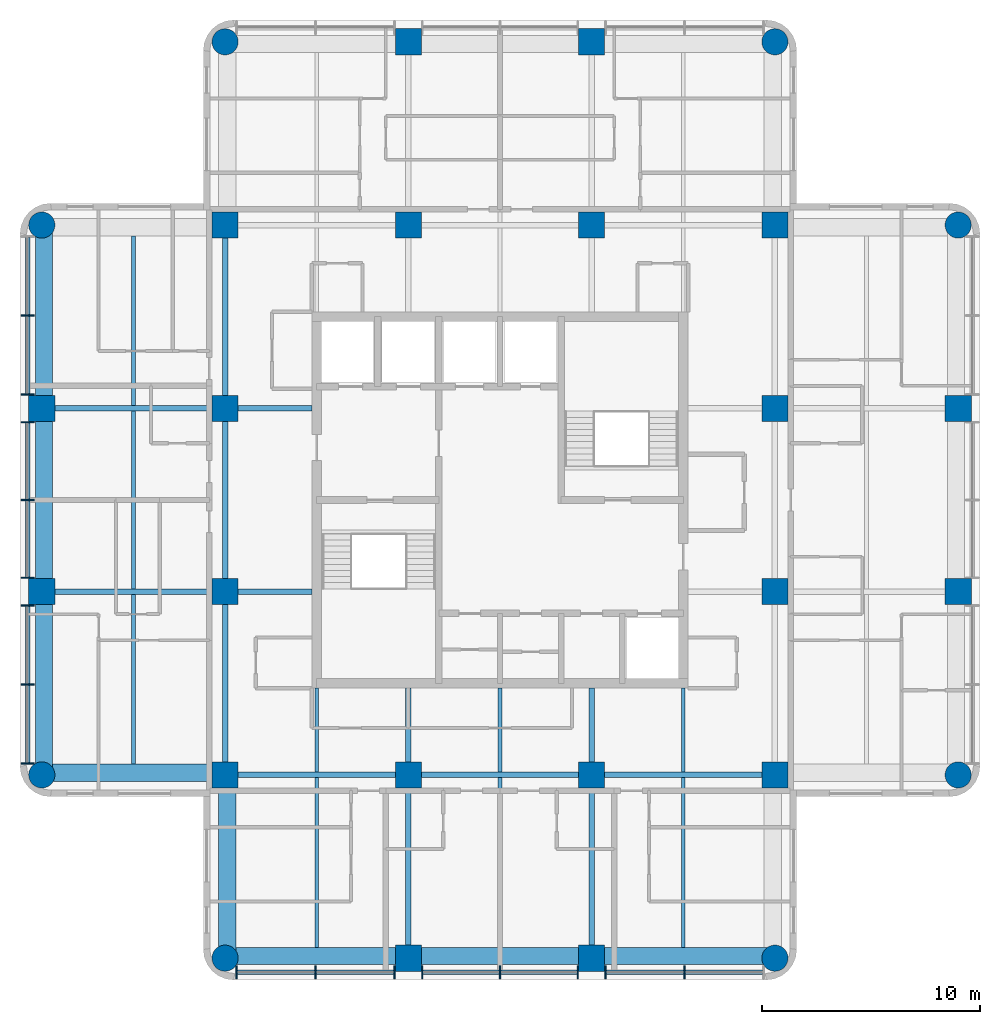
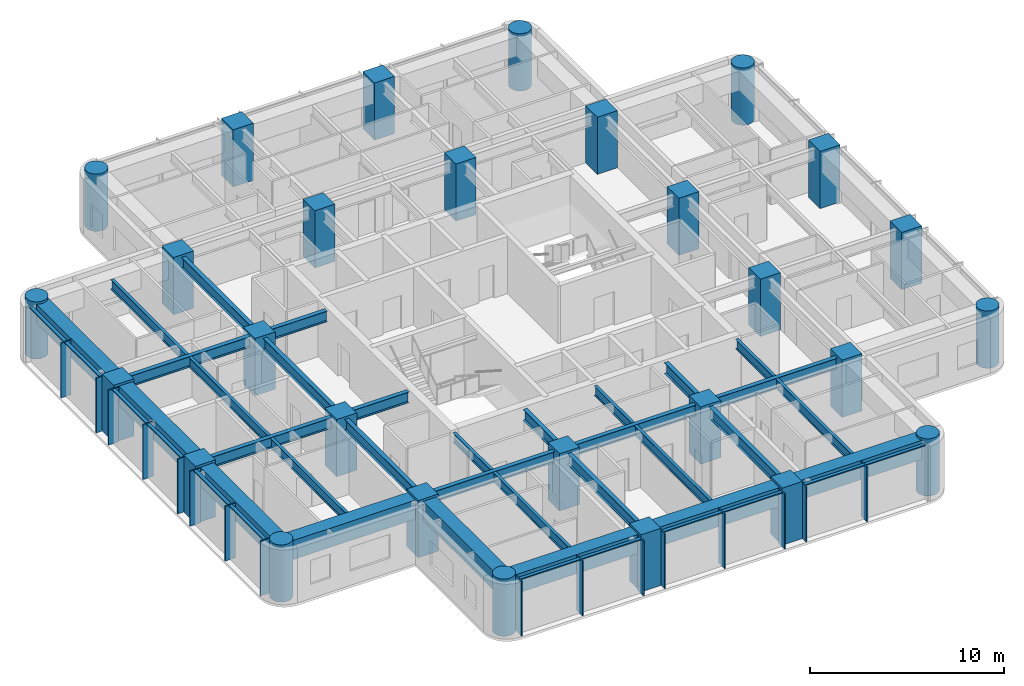
# One storey, part 1 of 10: 31 beams, 28 columns, 28 members, 2 elements without a shape of their own.
"""IFC4 building model written with IfcOpenShell, lengths in metres."""

from ifc_helpers import new_model, si_unit, direction, frame, origin, origin_2d, place, context, subcontext, project, spatial, rectangle, circle, i_section, extrude, material, material_profile, profile_set, type_object, element, aggregate, save


model = new_model("IFC4")

# Units and contexts
model_context = context("Model", 3, precision=1e-05, world=origin(), true_north=direction((0.0, 1.0)))
body_context = subcontext(model_context, "Body", "Model", "MODEL_VIEW")
ifc_project = project(units=[si_unit("LENGTHUNIT", "METRE"), si_unit("AREAUNIT", "SQUARE_METRE"), si_unit("VOLUMEUNIT", "CUBIC_METRE"), si_unit("PLANEANGLEUNIT", "RADIAN"), si_unit("MASSUNIT", "GRAM", prefix="KILO")], contexts=[model_context])

# Site, building, storey
site_placement = place(None, origin())
site = spatial("IfcSite", under=ifc_project, at=site_placement, CompositionType="ELEMENT")
building_placement = place(site_placement, origin())
building = spatial("IfcBuilding", under=site, at=building_placement, Name="Torre Alcanfor", CompositionType="ELEMENT")
storey_placement = place(building_placement, frame((0.0, 0.0, 282.89990234375)))
storey = spatial("IfcBuildingStorey", under=building, at=storey_placement, Name="L74", CompositionType="ELEMENT", Elevation=282.89990234375)

# Columns
ifc_material_1 = material(Name="Concrete f'c 70 MPa", Category="concrete")
ifc_material_profile_1 = material_profile(ifc_material_1, rectangle(XDim=1.199951171875, YDim=1.199951171875, at=origin_2d()), Name="1200x1200")
ifc_profile_set_1 = profile_set([ifc_material_profile_1], Name="Concrete f'c 70 MPa")
column_type_1 = type_object("IfcColumnType", Name="RC column 1200x1200 f'c70", PredefinedType="COLUMN", material=ifc_profile_set_1)
for number, where, z_axis, x_axis, name in (
    (1, (8.39990234375, 25.199951171875, 0.0), (0.0, 0.0, 1.0), (1.0, 0.0, 0.0), "Column 2/F L74"),
    (2, (8.39990234375, 33.60009765625, 0.0), (0.0, 0.0, 1.0), (1.0, 0.0, 0.0), "Column 2/G L74"),
    (3, (16.800048828125, 16.800048828125, 0.0), (0.0, 0.0, 1.0), (1.0, 0.0, 0.0), "Column 3/E L74"),
    (4, (16.800048828125, 25.199951171875, 0.0), (0.0, 0.0, 1.0), (1.0, 0.0, 0.0), "Column 3/F L74"),
    (5, (16.800048828125, 33.60009765625, 0.0), (0.0, 0.0, 1.0), (1.0, 0.0, 0.0), "Column 3/G L74"),
    (6, (16.800048828125, 42.0, 0.0), (0.0, 0.0, 1.0), (1.0, 0.0, 0.0), "Column 3/H L74"),
    (7, (25.199951171875, 8.39990234375, 0.0), (0.0, 0.0, 1.0), (1.0, 0.0, 0.0), "Column 4/D L74"),
    (8, (25.199951171875, 16.800048828125, 0.0), (0.0, 0.0, 1.0), (1.0, 0.0, 0.0), "Column 4/E L74"),
    (9, (25.199951171875, 42.0, 0.0), (0.0, 0.0, 1.0), (1.0, 0.0, 0.0), "Column 4/H L74"),
    (10, (25.199951171875, 50.39990234375, 0.0), (0.0, 0.0, 1.0), (1.0, 0.0, 0.0), "Column 4/J L74"),
    (11, (33.60009765625, 8.39990234375, 0.0), (0.0, 0.0, 1.0), (1.0, 0.0, 0.0), "Column 5/D L74"),
    (12, (33.60009765625, 16.800048828125, 0.0), (0.0, 0.0, 1.0), (1.0, 0.0, 0.0), "Column 5/E L74"),
    (13, (33.60009765625, 42.0, 0.0), (0.0, 0.0, 1.0), (1.0, 0.0, 0.0), "Column 5/H L74"),
    (14, (33.60009765625, 50.39990234375, 0.0), (0.0, 0.0, 1.0), (1.0, 0.0, 0.0), "Column 5/J L74"),
    (15, (42.0, 16.800048828125, 0.0), (0.0, 0.0, 1.0), (1.0, 0.0, 0.0), "Column 6/E L74"),
    (16, (42.0, 25.199951171875, 0.0), (0.0, 0.0, 1.0), (1.0, 0.0, 0.0), "Column 6/F L74"),
    (17, (42.0, 33.60009765625, 0.0), (0.0, 0.0, 1.0), (1.0, 0.0, 0.0), "Column 6/G L74"),
    (18, (42.0, 42.0, 0.0), (0.0, 0.0, 1.0), (1.0, 0.0, 0.0), "Column 6/H L74"),
    (19, (50.39990234375, 25.199951171875, 0.0), (0.0, 0.0, 1.0), (1.0, 0.0, 0.0), "Column 7/F L74"),
    (20, (50.39990234375, 33.60009765625, 0.0), (0.0, 0.0, 1.0), (1.0, 0.0, 0.0), "Column 7/G L74"),
):
    element("IfcColumn", number, at=place(storey_placement, frame(where, z_axis=z_axis, x_axis=x_axis)), inside=storey, type_object=column_type_1, Name=name, PredefinedType="COLUMN", context=body_context, shape_type="SweptSolid", body=[
        extrude(rectangle(XDim=1.199951171875, YDim=1.199951171875, at=origin_2d()), origin(), (0.0, 0.0, 1.0), 3.60009765625),
    ])
ifc_material_2 = material(Name="Concrete f'c 70 MPa", Category="concrete")
ifc_material_profile_2 = material_profile(ifc_material_2, circle(Radius=0.60009765625, at=origin_2d()), Name="D1200")
ifc_profile_set_2 = profile_set([ifc_material_profile_2], Name="Concrete f'c 70 MPa")
column_type_2 = type_object("IfcColumnType", Name="RC column D1200 f'c70", PredefinedType="COLUMN", material=ifc_profile_set_2)
for number, where, z_axis, x_axis, name in (
    (21, (8.39990234375, 16.800048828125, 0.0), (0.0, 0.0, 1.0), (1.0, 0.0, 0.0), "Column 2/E L74"),
    (22, (8.39990234375, 42.0, 0.0), (0.0, 0.0, 1.0), (1.0, 0.0, 0.0), "Column 2/H L74"),
    (23, (16.800048828125, 8.39990234375, 0.0), (0.0, 0.0, 1.0), (1.0, 0.0, 0.0), "Column 3/D L74"),
    (24, (16.800048828125, 50.39990234375, 0.0), (0.0, 0.0, 1.0), (1.0, 0.0, 0.0), "Column 3/J L74"),
    (25, (42.0, 8.39990234375, 0.0), (0.0, 0.0, 1.0), (1.0, 0.0, 0.0), "Column 6/D L74"),
    (26, (42.0, 50.39990234375, 0.0), (0.0, 0.0, 1.0), (1.0, 0.0, 0.0), "Column 6/J L74"),
    (27, (50.39990234375, 16.800048828125, 0.0), (0.0, 0.0, 1.0), (1.0, 0.0, 0.0), "Column 7/E L74"),
    (28, (50.39990234375, 42.0, 0.0), (0.0, 0.0, 1.0), (1.0, 0.0, 0.0), "Column 7/H L74"),
):
    element("IfcColumn", number, at=place(storey_placement, frame(where, z_axis=z_axis, x_axis=x_axis)), inside=storey, type_object=column_type_2, Name=name, PredefinedType="COLUMN", context=body_context, shape_type="SweptSolid", body=[
        extrude(circle(Radius=0.60009765625, at=origin_2d()), origin(), (0.0, 0.0, 1.0), 3.60009765625),
    ])

# Curtain wall, members
ifc_material_3 = material(Name="Aluminium and glass", Category="aluminium")
curtain_wall_type = type_object("IfcCurtainWallType", Name="CW-A unitised apartment glazing with vertical FIN", PredefinedType="NOTDEFINED", material=ifc_material_3)
curtain_wall_1_placement = place(storey_placement, origin())
curtain_wall_1 = element("IfcCurtainWall", 29, at=curtain_wall_1_placement, inside=storey, type_object=curtain_wall_type, Name="Curtain wall CW-A L74 2", PredefinedType="NOTDEFINED")
ifc_material_4 = material(Name="Bronze anodised aluminium", Category="aluminium")
ifc_material_profile_3 = material_profile(ifc_material_4, rectangle(XDim=0.60009765625, YDim=0.06494140625, at=origin_2d()), Name="CW-A mullion 65x600")
ifc_profile_set_3 = profile_set([ifc_material_profile_3], Name="Bronze anodised aluminium")
member_type_1 = type_object("IfcMemberType", Name="CW-A mullion with vertical FIN 65x600", PredefinedType="MULLION", material=ifc_profile_set_3)
member_1_placement = place(storey_placement, frame((7.75, 37.855712890625, 0.0), z_axis=(0.0, 0.0, 1.0), x_axis=(1.0, 0.0, 0.0)))
member_1 = element("IfcMember", 30, at=member_1_placement, type_object=member_type_1, Name="CW-A mullion 1.2", PredefinedType="MULLION", context=body_context, shape_type="SweptSolid", body=[
    extrude(rectangle(XDim=0.60009765625, YDim=0.06494140625, at=origin_2d()), origin(), (0.0, 0.0, 1.0), 3.4501953125),
])
member_2_placement = place(storey_placement, frame((7.75, 34.237548828125, 0.0), z_axis=(0.0, 0.0, 1.0), x_axis=(1.0, 0.0, 0.0)))
member_2 = element("IfcMember", 31, at=member_2_placement, type_object=member_type_1, Name="CW-A mullion 1.3", PredefinedType="MULLION", context=body_context, shape_type="SweptSolid", body=[
    extrude(rectangle(XDim=0.60009765625, YDim=0.06494140625, at=origin_2d()), origin(), (0.0, 0.0, 1.0), 3.4501953125),
])
member_3_placement = place(storey_placement, frame((7.75, 32.96240234375, 0.0), z_axis=(0.0, 0.0, 1.0), x_axis=(1.0, 0.0, 0.0)))
member_3 = element("IfcMember", 32, at=member_3_placement, type_object=member_type_1, Name="CW-A mullion 2.1", PredefinedType="MULLION", context=body_context, shape_type="SweptSolid", body=[
    extrude(rectangle(XDim=0.60009765625, YDim=0.06494140625, at=origin_2d()), origin(), (0.0, 0.0, 1.0), 3.4501953125),
])
member_4_placement = place(storey_placement, frame((7.75, 29.39990234375, 0.0), z_axis=(0.0, 0.0, 1.0), x_axis=(1.0, 0.0, 0.0)))
member_4 = element("IfcMember", 33, at=member_4_placement, type_object=member_type_1, Name="CW-A mullion 2.2", PredefinedType="MULLION", context=body_context, shape_type="SweptSolid", body=[
    extrude(rectangle(XDim=0.60009765625, YDim=0.06494140625, at=origin_2d()), origin(), (0.0, 0.0, 1.0), 3.4501953125),
])
member_5_placement = place(storey_placement, frame((7.75, 25.83740234375, 0.0), z_axis=(0.0, 0.0, 1.0), x_axis=(1.0, 0.0, 0.0)))
member_5 = element("IfcMember", 34, at=member_5_placement, type_object=member_type_1, Name="CW-A mullion 2.3", PredefinedType="MULLION", context=body_context, shape_type="SweptSolid", body=[
    extrude(rectangle(XDim=0.60009765625, YDim=0.06494140625, at=origin_2d()), origin(), (0.0, 0.0, 1.0), 3.4501953125),
])
member_6_placement = place(storey_placement, frame((7.75, 24.5625, 0.0), z_axis=(0.0, 0.0, 1.0), x_axis=(1.0, 0.0, 0.0)))
member_6 = element("IfcMember", 35, at=member_6_placement, type_object=member_type_1, Name="CW-A mullion 3.1", PredefinedType="MULLION", context=body_context, shape_type="SweptSolid", body=[
    extrude(rectangle(XDim=0.60009765625, YDim=0.06494140625, at=origin_2d()), origin(), (0.0, 0.0, 1.0), 3.4501953125),
])
member_7_placement = place(storey_placement, frame((7.75, 20.9443359375, 0.0), z_axis=(0.0, 0.0, 1.0), x_axis=(1.0, 0.0, 0.0)))
member_7 = element("IfcMember", 36, at=member_7_placement, type_object=member_type_1, Name="CW-A mullion 3.2", PredefinedType="MULLION", context=body_context, shape_type="SweptSolid", body=[
    extrude(rectangle(XDim=0.60009765625, YDim=0.06494140625, at=origin_2d()), origin(), (0.0, 0.0, 1.0), 3.4501953125),
])
member_8_placement = place(storey_placement, frame((7.75, 17.325927734375, 0.0), z_axis=(0.0, 0.0, 1.0), x_axis=(1.0, 0.0, 0.0)))
member_8 = element("IfcMember", 37, at=member_8_placement, type_object=member_type_1, Name="CW-A mullion 3.3", PredefinedType="MULLION", context=body_context, shape_type="SweptSolid", body=[
    extrude(rectangle(XDim=0.60009765625, YDim=0.06494140625, at=origin_2d()), origin(), (0.0, 0.0, 1.0), 3.4501953125),
])

curtain_wall_2_placement = place(storey_placement, origin())
curtain_wall_2 = element("IfcCurtainWall", 38, at=curtain_wall_2_placement, inside=storey, type_object=curtain_wall_type, Name="Curtain wall CW-A L74 5", PredefinedType="NOTDEFINED")
member_9_placement = place(storey_placement, frame((17.325927734375, 7.75, 0.0), z_axis=(0.0, 0.0, 1.0), x_axis=(0.0, 1.0, 0.0)))
member_9 = element("IfcMember", 39, at=member_9_placement, type_object=member_type_1, Name="CW-A mullion 1.1", PredefinedType="MULLION", context=body_context, shape_type="SweptSolid", body=[
    extrude(rectangle(XDim=0.60009765625, YDim=0.06494140625, at=origin_2d()), origin(), (0.0, 0.0, 1.0), 3.4501953125),
])
member_10_placement = place(storey_placement, frame((20.9443359375, 7.75, 0.0), z_axis=(0.0, 0.0, 1.0), x_axis=(0.0, 1.0, 0.0)))
member_10 = element("IfcMember", 40, at=member_10_placement, type_object=member_type_1, Name="CW-A mullion 1.2", PredefinedType="MULLION", context=body_context, shape_type="SweptSolid", body=[
    extrude(rectangle(XDim=0.60009765625, YDim=0.06494140625, at=origin_2d()), origin(), (0.0, 0.0, 1.0), 3.4501953125),
])
member_11_placement = place(storey_placement, frame((24.5625, 7.75, 0.0), z_axis=(0.0, 0.0, 1.0), x_axis=(0.0, 1.0, 0.0)))
member_11 = element("IfcMember", 41, at=member_11_placement, type_object=member_type_1, Name="CW-A mullion 1.3", PredefinedType="MULLION", context=body_context, shape_type="SweptSolid", body=[
    extrude(rectangle(XDim=0.60009765625, YDim=0.06494140625, at=origin_2d()), origin(), (0.0, 0.0, 1.0), 3.4501953125),
])
member_12_placement = place(storey_placement, frame((25.83740234375, 7.75, 0.0), z_axis=(0.0, 0.0, 1.0), x_axis=(0.0, 1.0, 0.0)))
member_12 = element("IfcMember", 42, at=member_12_placement, type_object=member_type_1, Name="CW-A mullion 2.1", PredefinedType="MULLION", context=body_context, shape_type="SweptSolid", body=[
    extrude(rectangle(XDim=0.60009765625, YDim=0.06494140625, at=origin_2d()), origin(), (0.0, 0.0, 1.0), 3.4501953125),
])
member_13_placement = place(storey_placement, frame((29.39990234375, 7.75, 0.0), z_axis=(0.0, 0.0, 1.0), x_axis=(0.0, 1.0, 0.0)))
member_13 = element("IfcMember", 43, at=member_13_placement, type_object=member_type_1, Name="CW-A mullion 2.2", PredefinedType="MULLION", context=body_context, shape_type="SweptSolid", body=[
    extrude(rectangle(XDim=0.60009765625, YDim=0.06494140625, at=origin_2d()), origin(), (0.0, 0.0, 1.0), 3.4501953125),
])
member_14_placement = place(storey_placement, frame((32.96240234375, 7.75, 0.0), z_axis=(0.0, 0.0, 1.0), x_axis=(0.0, 1.0, 0.0)))
member_14 = element("IfcMember", 44, at=member_14_placement, type_object=member_type_1, Name="CW-A mullion 2.3", PredefinedType="MULLION", context=body_context, shape_type="SweptSolid", body=[
    extrude(rectangle(XDim=0.60009765625, YDim=0.06494140625, at=origin_2d()), origin(), (0.0, 0.0, 1.0), 3.4501953125),
])
member_15_placement = place(storey_placement, frame((34.237548828125, 7.75, 0.0), z_axis=(0.0, 0.0, 1.0), x_axis=(0.0, 1.0, 0.0)))
member_15 = element("IfcMember", 45, at=member_15_placement, type_object=member_type_1, Name="CW-A mullion 3.1", PredefinedType="MULLION", context=body_context, shape_type="SweptSolid", body=[
    extrude(rectangle(XDim=0.60009765625, YDim=0.06494140625, at=origin_2d()), origin(), (0.0, 0.0, 1.0), 3.4501953125),
])
member_16_placement = place(storey_placement, frame((37.855712890625, 7.75, 0.0), z_axis=(0.0, 0.0, 1.0), x_axis=(0.0, 1.0, 0.0)))
member_16 = element("IfcMember", 46, at=member_16_placement, type_object=member_type_1, Name="CW-A mullion 3.2", PredefinedType="MULLION", context=body_context, shape_type="SweptSolid", body=[
    extrude(rectangle(XDim=0.60009765625, YDim=0.06494140625, at=origin_2d()), origin(), (0.0, 0.0, 1.0), 3.4501953125),
])

# Member
ifc_material_5 = material(Name="Extruded aluminium", Category="aluminium")
ifc_material_profile_4 = material_profile(ifc_material_5, rectangle(XDim=0.199951171875, YDim=0.06494140625, at=origin_2d()), Name="CW-A transom 200x65")
ifc_profile_set_4 = profile_set([ifc_material_profile_4], Name="Extruded aluminium")
member_type_2 = type_object("IfcMemberType", Name="CW-A transom 65x200", PredefinedType="USERDEFINED", material=ifc_profile_set_4)
member_17_placement = place(storey_placement, frame((7.75, 41.44140625, 3.41748046875), z_axis=(0.0, -1.0, 0.0), x_axis=(1.0, 0.0, 0.0)))
member_17 = element("IfcMember", 47, at=member_17_placement, type_object=member_type_2, Name="CW-A transom 1.1.2", ObjectType="TRANSOM", PredefinedType="USERDEFINED", context=body_context, shape_type="SweptSolid", body=[
    extrude(rectangle(XDim=0.199951171875, YDim=0.06494140625, at=origin_2d()), origin(), (0.0, 0.0, 1.0), 3.55322265625),
])

member_18_placement = place(storey_placement, frame((7.75, 37.8232421875, 3.41748046875), z_axis=(0.0, -1.0, 0.0), x_axis=(1.0, 0.0, 0.0)))
member_18 = element("IfcMember", 48, at=member_18_placement, type_object=member_type_2, Name="CW-A transom 1.2.2", ObjectType="TRANSOM", PredefinedType="USERDEFINED", context=body_context, shape_type="SweptSolid", body=[
    extrude(rectangle(XDim=0.199951171875, YDim=0.06494140625, at=origin_2d()), origin(), (0.0, 0.0, 1.0), 3.55322265625),
])

member_19_placement = place(storey_placement, frame((7.75, 32.929931640625, 3.41748046875), z_axis=(0.0, -1.0, 0.0), x_axis=(1.0, 0.0, 0.0)))
member_19 = element("IfcMember", 49, at=member_19_placement, type_object=member_type_2, Name="CW-A transom 2.1.2", ObjectType="TRANSOM", PredefinedType="USERDEFINED", context=body_context, shape_type="SweptSolid", body=[
    extrude(rectangle(XDim=0.199951171875, YDim=0.06494140625, at=origin_2d()), origin(), (0.0, 0.0, 1.0), 3.497314453125),
])

member_20_placement = place(storey_placement, frame((7.75, 29.367431640625, 3.41748046875), z_axis=(0.0, -1.0, 0.0), x_axis=(1.0, 0.0, 0.0)))
member_20 = element("IfcMember", 50, at=member_20_placement, type_object=member_type_2, Name="CW-A transom 2.2.2", ObjectType="TRANSOM", PredefinedType="USERDEFINED", context=body_context, shape_type="SweptSolid", body=[
    extrude(rectangle(XDim=0.199951171875, YDim=0.06494140625, at=origin_2d()), origin(), (0.0, 0.0, 1.0), 3.497314453125),
])

member_21_placement = place(storey_placement, frame((7.75, 24.530029296875, 3.41748046875), z_axis=(0.0, -1.0, 0.0), x_axis=(1.0, 0.0, 0.0)))
member_21 = element("IfcMember", 51, at=member_21_placement, type_object=member_type_2, Name="CW-A transom 3.1.2", ObjectType="TRANSOM", PredefinedType="USERDEFINED", context=body_context, shape_type="SweptSolid", body=[
    extrude(rectangle(XDim=0.199951171875, YDim=0.06494140625, at=origin_2d()), origin(), (0.0, 0.0, 1.0), 3.55322265625),
])

member_22_placement = place(storey_placement, frame((7.75, 20.911865234375, 3.41748046875), z_axis=(0.0, -1.0, 0.0), x_axis=(1.0, 0.0, 0.0)))
member_22 = element("IfcMember", 52, at=member_22_placement, type_object=member_type_2, Name="CW-A transom 3.2.2", ObjectType="TRANSOM", PredefinedType="USERDEFINED", context=body_context, shape_type="SweptSolid", body=[
    extrude(rectangle(XDim=0.199951171875, YDim=0.06494140625, at=origin_2d()), origin(), (0.0, 0.0, 1.0), 3.553466796875),
])

aggregate(curtain_wall_1, [member_1, member_2, member_17, member_18, member_3, member_4, member_5, member_19, member_20, member_6, member_7, member_8, member_21, member_22])

member_23_placement = place(storey_placement, frame((17.3583984375, 7.75, 3.41748046875), z_axis=(1.0, 0.0, 0.0), x_axis=(0.0, 1.0, 0.0)))
member_23 = element("IfcMember", 53, at=member_23_placement, type_object=member_type_2, Name="CW-A transom 1.1.2", ObjectType="TRANSOM", PredefinedType="USERDEFINED", context=body_context, shape_type="SweptSolid", body=[
    extrude(rectangle(XDim=0.199951171875, YDim=0.06494140625, at=origin_2d()), origin(), (0.0, 0.0, 1.0), 3.553466796875),
])

member_24_placement = place(storey_placement, frame((20.976806640625, 7.75, 3.41748046875), z_axis=(1.0, 0.0, 0.0), x_axis=(0.0, 1.0, 0.0)))
member_24 = element("IfcMember", 54, at=member_24_placement, type_object=member_type_2, Name="CW-A transom 1.2.2", ObjectType="TRANSOM", PredefinedType="USERDEFINED", context=body_context, shape_type="SweptSolid", body=[
    extrude(rectangle(XDim=0.199951171875, YDim=0.06494140625, at=origin_2d()), origin(), (0.0, 0.0, 1.0), 3.55322265625),
])

member_25_placement = place(storey_placement, frame((25.8701171875, 7.75, 3.41748046875), z_axis=(1.0, 0.0, 0.0), x_axis=(0.0, 1.0, 0.0)))
member_25 = element("IfcMember", 55, at=member_25_placement, type_object=member_type_2, Name="CW-A transom 2.1.2", ObjectType="TRANSOM", PredefinedType="USERDEFINED", context=body_context, shape_type="SweptSolid", body=[
    extrude(rectangle(XDim=0.199951171875, YDim=0.06494140625, at=origin_2d()), origin(), (0.0, 0.0, 1.0), 3.497314453125),
])

member_26_placement = place(storey_placement, frame((29.4326171875, 7.75, 3.41748046875), z_axis=(1.0, 0.0, 0.0), x_axis=(0.0, 1.0, 0.0)))
member_26 = element("IfcMember", 56, at=member_26_placement, type_object=member_type_2, Name="CW-A transom 2.2.2", ObjectType="TRANSOM", PredefinedType="USERDEFINED", context=body_context, shape_type="SweptSolid", body=[
    extrude(rectangle(XDim=0.199951171875, YDim=0.06494140625, at=origin_2d()), origin(), (0.0, 0.0, 1.0), 3.497314453125),
])

member_27_placement = place(storey_placement, frame((34.27001953125, 7.75, 3.41748046875), z_axis=(1.0, 0.0, 0.0), x_axis=(0.0, 1.0, 0.0)))
member_27 = element("IfcMember", 57, at=member_27_placement, type_object=member_type_2, Name="CW-A transom 3.1.2", ObjectType="TRANSOM", PredefinedType="USERDEFINED", context=body_context, shape_type="SweptSolid", body=[
    extrude(rectangle(XDim=0.199951171875, YDim=0.06494140625, at=origin_2d()), origin(), (0.0, 0.0, 1.0), 3.55322265625),
])

member_28_placement = place(storey_placement, frame((37.88818359375, 7.75, 3.41748046875), z_axis=(1.0, 0.0, 0.0), x_axis=(0.0, 1.0, 0.0)))
member_28 = element("IfcMember", 58, at=member_28_placement, type_object=member_type_2, Name="CW-A transom 3.2.2", ObjectType="TRANSOM", PredefinedType="USERDEFINED", context=body_context, shape_type="SweptSolid", body=[
    extrude(rectangle(XDim=0.199951171875, YDim=0.06494140625, at=origin_2d()), origin(), (0.0, 0.0, 1.0), 3.55322265625),
])

aggregate(curtain_wall_2, [member_9, member_10, member_11, member_23, member_24, member_12, member_13, member_14, member_25, member_26, member_15, member_16, member_27, member_28])

# Beams
ifc_material_6 = material(Name="Steel ASTM A992 Grade 50", Category="steel")
ifc_material_profile_5 = material_profile(ifc_material_6, i_section(OverallWidth=0.25390625, OverallDepth=0.683349609375, WebThickness=0.012451171875, FlangeThickness=0.01904296875, at=origin_2d()), Name="W27x94")
ifc_profile_set_5 = profile_set([ifc_material_profile_5], Name="Steel ASTM A992 Grade 50")
beam_type_1 = type_object("IfcBeamType", Name="Girder W27x94", PredefinedType="BEAM", material=ifc_profile_set_5)
beam_1_placement = place(storey_placement, frame((16.800048828125, 16.800048828125, 3.1083984375), z_axis=(1.0, 0.0, 0.0), x_axis=(0.0, 1.0, 0.0)))
element("IfcBeam", 59, at=beam_1_placement, inside=storey, type_object=beam_type_1, Name="Beam 3E-4E under L75", PredefinedType="BEAM", context=body_context, shape_type="SweptSolid", body=[
    extrude(i_section(OverallWidth=0.25390625, OverallDepth=0.683349609375, WebThickness=0.012451171875, FlangeThickness=0.01904296875, at=origin_2d()), origin(), (0.0, 0.0, 1.0), 8.39990234375),
])
beam_2_placement = place(storey_placement, frame((25.199951171875, 16.800048828125, 3.1083984375), z_axis=(1.0, 0.0, 0.0), x_axis=(0.0, 1.0, 0.0)))
element("IfcBeam", 60, at=beam_2_placement, inside=storey, type_object=beam_type_1, Name="Beam 4E-5E under L75", PredefinedType="BEAM", context=body_context, shape_type="SweptSolid", body=[
    extrude(i_section(OverallWidth=0.25390625, OverallDepth=0.683349609375, WebThickness=0.012451171875, FlangeThickness=0.01904296875, at=origin_2d()), origin(), (0.0, 0.0, 1.0), 8.400146484375),
])
beam_3_placement = place(storey_placement, frame((33.60009765625, 16.800048828125, 3.1083984375), z_axis=(1.0, 0.0, 0.0), x_axis=(0.0, 1.0, 0.0)))
element("IfcBeam", 61, at=beam_3_placement, inside=storey, type_object=beam_type_1, Name="Beam 5E-6E under L75", PredefinedType="BEAM", context=body_context, shape_type="SweptSolid", body=[
    extrude(i_section(OverallWidth=0.25390625, OverallDepth=0.683349609375, WebThickness=0.012451171875, FlangeThickness=0.01904296875, at=origin_2d()), origin(), (0.0, 0.0, 1.0), 8.39990234375),
])
for number, where, z_axis, x_axis, name in (
    (62, (8.39990234375, 25.199951171875, 3.1083984375), (1.0, 0.0, 0.0), (0.0, 1.0, 0.0), "Beam 2F-3F under L75"),
    (63, (8.39990234375, 33.60009765625, 3.1083984375), (1.0, 0.0, 0.0), (0.0, 1.0, 0.0), "Beam 2G-3G under L75"),
):
    element("IfcBeam", number, at=place(storey_placement, frame(where, z_axis=z_axis, x_axis=x_axis)), inside=storey, type_object=beam_type_1, Name=name, PredefinedType="BEAM", context=body_context, shape_type="SweptSolid", body=[
        extrude(i_section(OverallWidth=0.25390625, OverallDepth=0.683349609375, WebThickness=0.012451171875, FlangeThickness=0.01904296875, at=origin_2d()), origin(), (0.0, 0.0, 1.0), 8.400146484375),
    ])
beam_4_placement = place(storey_placement, frame((16.800048828125, 16.800048828125, 3.1083984375), z_axis=(0.0, 1.0, 0.0), x_axis=(-1.0, 0.0, 0.0)))
element("IfcBeam", 64, at=beam_4_placement, inside=storey, type_object=beam_type_1, Name="Beam 3E-3F under L75", PredefinedType="BEAM", context=body_context, shape_type="SweptSolid", body=[
    extrude(i_section(OverallWidth=0.25390625, OverallDepth=0.683349609375, WebThickness=0.012451171875, FlangeThickness=0.01904296875, at=origin_2d()), origin(), (0.0, 0.0, 1.0), 8.39990234375),
])
beam_5_placement = place(storey_placement, frame((16.800048828125, 25.199951171875, 3.1083984375), z_axis=(0.0, 1.0, 0.0), x_axis=(-1.0, 0.0, 0.0)))
element("IfcBeam", 65, at=beam_5_placement, inside=storey, type_object=beam_type_1, Name="Beam 3F-3G under L75", PredefinedType="BEAM", context=body_context, shape_type="SweptSolid", body=[
    extrude(i_section(OverallWidth=0.25390625, OverallDepth=0.683349609375, WebThickness=0.012451171875, FlangeThickness=0.01904296875, at=origin_2d()), origin(), (0.0, 0.0, 1.0), 8.400146484375),
])
beam_6_placement = place(storey_placement, frame((16.800048828125, 33.60009765625, 3.1083984375), z_axis=(0.0, 1.0, 0.0), x_axis=(-1.0, 0.0, 0.0)))
element("IfcBeam", 66, at=beam_6_placement, inside=storey, type_object=beam_type_1, Name="Beam 3G-3H under L75", PredefinedType="BEAM", context=body_context, shape_type="SweptSolid", body=[
    extrude(i_section(OverallWidth=0.25390625, OverallDepth=0.683349609375, WebThickness=0.012451171875, FlangeThickness=0.01904296875, at=origin_2d()), origin(), (0.0, 0.0, 1.0), 8.39990234375),
])
for number, where, z_axis, x_axis, name in (
    (67, (25.199951171875, 8.39990234375, 3.1083984375), (0.0, 1.0, 0.0), (-1.0, 0.0, 0.0), "Beam 4D-4E under L75"),
    (68, (33.60009765625, 8.39990234375, 3.1083984375), (0.0, 1.0, 0.0), (-1.0, 0.0, 0.0), "Beam 5D-5E under L75"),
):
    element("IfcBeam", number, at=place(storey_placement, frame(where, z_axis=z_axis, x_axis=x_axis)), inside=storey, type_object=beam_type_1, Name=name, PredefinedType="BEAM", context=body_context, shape_type="SweptSolid", body=[
        extrude(i_section(OverallWidth=0.25390625, OverallDepth=0.683349609375, WebThickness=0.012451171875, FlangeThickness=0.01904296875, at=origin_2d()), origin(), (0.0, 0.0, 1.0), 8.400146484375),
    ])
ifc_material_7 = material(Name="Steel ASTM A992 Grade 50", Category="steel")
ifc_material_profile_6 = material_profile(ifc_material_7, i_section(OverallWidth=0.25390625, OverallDepth=0.683349609375, WebThickness=0.012451171875, FlangeThickness=0.01904296875, at=origin_2d()), Name="W27x94")
ifc_profile_set_6 = profile_set([ifc_material_profile_6], Name="Steel ASTM A992 Grade 50")
beam_type_2 = type_object("IfcBeamType", Name="Girder, part bay W27x94", PredefinedType="BEAM", material=ifc_profile_set_6)
for number, where, z_axis, x_axis, name in (
    (69, (25.199951171875, 16.800048828125, 3.1083984375), (0.0, 1.0, 0.0), (-1.0, 0.0, 0.0), "Beam 4E-420_775 under L75"),
    (70, (33.60009765625, 16.800048828125, 3.1083984375), (0.0, 1.0, 0.0), (-1.0, 0.0, 0.0), "Beam 5E-520_775 under L75"),
    (71, (16.800048828125, 25.199951171875, 3.1083984375), (1.0, 0.0, 0.0), (0.0, 1.0, 0.0), "Beam 3F-20_775F under L75"),
    (72, (16.800048828125, 33.60009765625, 3.1083984375), (1.0, 0.0, 0.0), (0.0, 1.0, 0.0), "Beam 3G-20_775G under L75"),
):
    element("IfcBeam", number, at=place(storey_placement, frame(where, z_axis=z_axis, x_axis=x_axis)), inside=storey, type_object=beam_type_2, Name=name, PredefinedType="BEAM", context=body_context, shape_type="SweptSolid", body=[
        extrude(i_section(OverallWidth=0.25390625, OverallDepth=0.683349609375, WebThickness=0.012451171875, FlangeThickness=0.01904296875, at=origin_2d()), origin(), (0.0, 0.0, 1.0), 3.974853515625),
    ])
ifc_material_8 = material(Name="Concrete f'c 70 MPa", Category="concrete")
ifc_material_profile_7 = material_profile(ifc_material_8, rectangle(XDim=0.800048828125, YDim=1.199951171875, at=origin_2d()), Name="800x1200")
ifc_profile_set_7 = profile_set([ifc_material_profile_7], Name="Concrete f'c 70 MPa")
beam_type_3 = type_object("IfcBeamType", Name="RC perimeter beam 800x1200", PredefinedType="BEAM", material=ifc_profile_set_7)
beam_7_placement = place(storey_placement, frame((16.800048828125, 8.5, 2.85009765625), z_axis=(1.0, 0.0, 0.0), x_axis=(0.0, 1.0, 0.0)))
element("IfcBeam", 73, at=beam_7_placement, inside=storey, type_object=beam_type_3, Name="Beam 3D-4D under L75", PredefinedType="BEAM", context=body_context, shape_type="SweptSolid", body=[
    extrude(rectangle(XDim=0.800048828125, YDim=1.199951171875, at=origin_2d()), origin(), (0.0, 0.0, 1.0), 8.27294921875),
])
beam_8_placement = place(storey_placement, frame((25.326904296875, 8.5, 2.85009765625), z_axis=(1.0, 0.0, 0.0), x_axis=(0.0, 1.0, 0.0)))
element("IfcBeam", 74, at=beam_8_placement, inside=storey, type_object=beam_type_3, Name="Beam 4D-5D under L75", PredefinedType="BEAM", context=body_context, shape_type="SweptSolid", body=[
    extrude(rectangle(XDim=0.800048828125, YDim=1.199951171875, at=origin_2d()), origin(), (0.0, 0.0, 1.0), 8.14599609375),
])
beam_9_placement = place(storey_placement, frame((33.72705078125, 8.5, 2.85009765625), z_axis=(1.0, 0.0, 0.0), x_axis=(0.0, 1.0, 0.0)))
element("IfcBeam", 75, at=beam_9_placement, inside=storey, type_object=beam_type_3, Name="Beam 5D-6D under L75", PredefinedType="BEAM", context=body_context, shape_type="SweptSolid", body=[
    extrude(rectangle(XDim=0.800048828125, YDim=1.199951171875, at=origin_2d()), origin(), (0.0, 0.0, 1.0), 8.27294921875),
])
beam_10_placement = place(storey_placement, frame((8.39990234375, 16.89990234375, 2.85009765625), z_axis=(1.0, 0.0, 0.0), x_axis=(0.0, 1.0, 0.0)))
element("IfcBeam", 76, at=beam_10_placement, inside=storey, type_object=beam_type_3, Name="Beam 2E-3E under L75", PredefinedType="BEAM", context=body_context, shape_type="SweptSolid", body=[
    extrude(rectangle(XDim=0.800048828125, YDim=1.199951171875, at=origin_2d()), origin(), (0.0, 0.0, 1.0), 8.273193359375),
])
beam_11_placement = place(storey_placement, frame((8.5, 16.800048828125, 2.85009765625), z_axis=(0.0, 1.0, 0.0), x_axis=(-1.0, 0.0, 0.0)))
element("IfcBeam", 77, at=beam_11_placement, inside=storey, type_object=beam_type_3, Name="Beam 2E-2F under L75", PredefinedType="BEAM", context=body_context, shape_type="SweptSolid", body=[
    extrude(rectangle(XDim=0.800048828125, YDim=1.199951171875, at=origin_2d()), origin(), (0.0, 0.0, 1.0), 8.27294921875),
])
beam_12_placement = place(storey_placement, frame((8.5, 25.326904296875, 2.85009765625), z_axis=(0.0, 1.0, 0.0), x_axis=(-1.0, 0.0, 0.0)))
element("IfcBeam", 78, at=beam_12_placement, inside=storey, type_object=beam_type_3, Name="Beam 2F-2G under L75", PredefinedType="BEAM", context=body_context, shape_type="SweptSolid", body=[
    extrude(rectangle(XDim=0.800048828125, YDim=1.199951171875, at=origin_2d()), origin(), (0.0, 0.0, 1.0), 8.14599609375),
])
beam_13_placement = place(storey_placement, frame((8.5, 33.72705078125, 2.85009765625), z_axis=(0.0, 1.0, 0.0), x_axis=(-1.0, 0.0, 0.0)))
element("IfcBeam", 79, at=beam_13_placement, inside=storey, type_object=beam_type_3, Name="Beam 2G-2H under L75", PredefinedType="BEAM", context=body_context, shape_type="SweptSolid", body=[
    extrude(rectangle(XDim=0.800048828125, YDim=1.199951171875, at=origin_2d()), origin(), (0.0, 0.0, 1.0), 8.27294921875),
])
beam_14_placement = place(storey_placement, frame((16.89990234375, 8.39990234375, 2.85009765625), z_axis=(0.0, 1.0, 0.0), x_axis=(-1.0, 0.0, 0.0)))
element("IfcBeam", 80, at=beam_14_placement, inside=storey, type_object=beam_type_3, Name="Beam 3D-3E under L75", PredefinedType="BEAM", context=body_context, shape_type="SweptSolid", body=[
    extrude(rectangle(XDim=0.800048828125, YDim=1.199951171875, at=origin_2d()), origin(), (0.0, 0.0, 1.0), 8.273193359375),
])
ifc_material_9 = material(Name="Steel ASTM A992 Grade 50", Category="steel")
ifc_material_profile_8 = material_profile(ifc_material_9, i_section(OverallWidth=0.1787109375, OverallDepth=0.60205078125, WebThickness=0.010986328125, FlangeThickness=0.014892578125, at=origin_2d()), Name="W24x62")
ifc_profile_set_8 = profile_set([ifc_material_profile_8], Name="Steel ASTM A992 Grade 50")
beam_type_4 = type_object("IfcBeamType", Name="Secondary beam W24x62", PredefinedType="BEAM", material=ifc_profile_set_8)
beam_15_placement = place(storey_placement, frame((12.60009765625, 17.300048828125, 3.149169921875), z_axis=(0.0, 1.0, 0.0), x_axis=(-1.0, 0.0, 0.0)))
element("IfcBeam", 81, at=beam_15_placement, inside=storey, type_object=beam_type_4, Name="Beam 12_6E-12_6F under L75", PredefinedType="BEAM", context=body_context, shape_type="SweptSolid", body=[
    extrude(i_section(OverallWidth=0.1787109375, OverallDepth=0.60205078125, WebThickness=0.010986328125, FlangeThickness=0.014892578125, at=origin_2d()), origin(), (0.0, 0.0, 1.0), 7.77294921875),
])
beam_16_placement = place(storey_placement, frame((12.60009765625, 25.326904296875, 3.149169921875), z_axis=(0.0, 1.0, 0.0), x_axis=(-1.0, 0.0, 0.0)))
element("IfcBeam", 82, at=beam_16_placement, inside=storey, type_object=beam_type_4, Name="Beam 12_6F-12_6G under L75", PredefinedType="BEAM", context=body_context, shape_type="SweptSolid", body=[
    extrude(i_section(OverallWidth=0.1787109375, OverallDepth=0.60205078125, WebThickness=0.010986328125, FlangeThickness=0.014892578125, at=origin_2d()), origin(), (0.0, 0.0, 1.0), 8.14599609375),
])
beam_17_placement = place(storey_placement, frame((12.60009765625, 33.72705078125, 3.149169921875), z_axis=(0.0, 1.0, 0.0), x_axis=(-1.0, 0.0, 0.0)))
element("IfcBeam", 83, at=beam_17_placement, inside=storey, type_object=beam_type_4, Name="Beam 12_6G-12_6H under L75", PredefinedType="BEAM", context=body_context, shape_type="SweptSolid", body=[
    extrude(i_section(OverallWidth=0.1787109375, OverallDepth=0.60205078125, WebThickness=0.010986328125, FlangeThickness=0.014892578125, at=origin_2d()), origin(), (0.0, 0.0, 1.0), 7.77294921875),
])
for number, where, z_axis, x_axis, name in (
    (84, (21.0, 8.89990234375, 3.149169921875), (0.0, 1.0, 0.0), (-1.0, 0.0, 0.0), "Beam 21D-21E under L75"),
    (85, (29.39990234375, 8.89990234375, 3.149169921875), (0.0, 1.0, 0.0), (-1.0, 0.0, 0.0), "Beam 29_4D-29_4E under L75"),
    (86, (37.800048828125, 8.89990234375, 3.149169921875), (0.0, 1.0, 0.0), (-1.0, 0.0, 0.0), "Beam 37_8D-37_8E under L75"),
):
    element("IfcBeam", number, at=place(storey_placement, frame(where, z_axis=z_axis, x_axis=x_axis)), inside=storey, type_object=beam_type_4, Name=name, PredefinedType="BEAM", context=body_context, shape_type="SweptSolid", body=[
        extrude(i_section(OverallWidth=0.1787109375, OverallDepth=0.60205078125, WebThickness=0.010986328125, FlangeThickness=0.014892578125, at=origin_2d()), origin(), (0.0, 0.0, 1.0), 7.773193359375),
    ])
ifc_material_10 = material(Name="Steel ASTM A992 Grade 50", Category="steel")
ifc_material_profile_9 = material_profile(ifc_material_10, i_section(OverallWidth=0.1787109375, OverallDepth=0.60205078125, WebThickness=0.010986328125, FlangeThickness=0.014892578125, at=origin_2d()), Name="W24x62")
ifc_profile_set_9 = profile_set([ifc_material_profile_9], Name="Steel ASTM A992 Grade 50")
beam_type_5 = type_object("IfcBeamType", Name="Secondary beam, part bay W24x62", PredefinedType="BEAM", material=ifc_profile_set_9)
for number, where, z_axis, x_axis, name in (
    (87, (21.0, 16.927001953125, 3.149169921875), (0.0, 1.0, 0.0), (-1.0, 0.0, 0.0), "Beam 21E-2120_775 under L75"),
    (88, (29.39990234375, 16.927001953125, 3.149169921875), (0.0, 1.0, 0.0), (-1.0, 0.0, 0.0), "Beam 29_4E-29_420_775 under L75"),
    (89, (37.800048828125, 16.927001953125, 3.149169921875), (0.0, 1.0, 0.0), (-1.0, 0.0, 0.0), "Beam 37_8E-37_820_775 under L75"),
):
    element("IfcBeam", number, at=place(storey_placement, frame(where, z_axis=z_axis, x_axis=x_axis)), inside=storey, type_object=beam_type_5, Name=name, PredefinedType="BEAM", context=body_context, shape_type="SweptSolid", body=[
        extrude(i_section(OverallWidth=0.1787109375, OverallDepth=0.60205078125, WebThickness=0.010986328125, FlangeThickness=0.014892578125, at=origin_2d()), origin(), (0.0, 0.0, 1.0), 3.847900390625),
    ])

save(model, "model.ifc")
